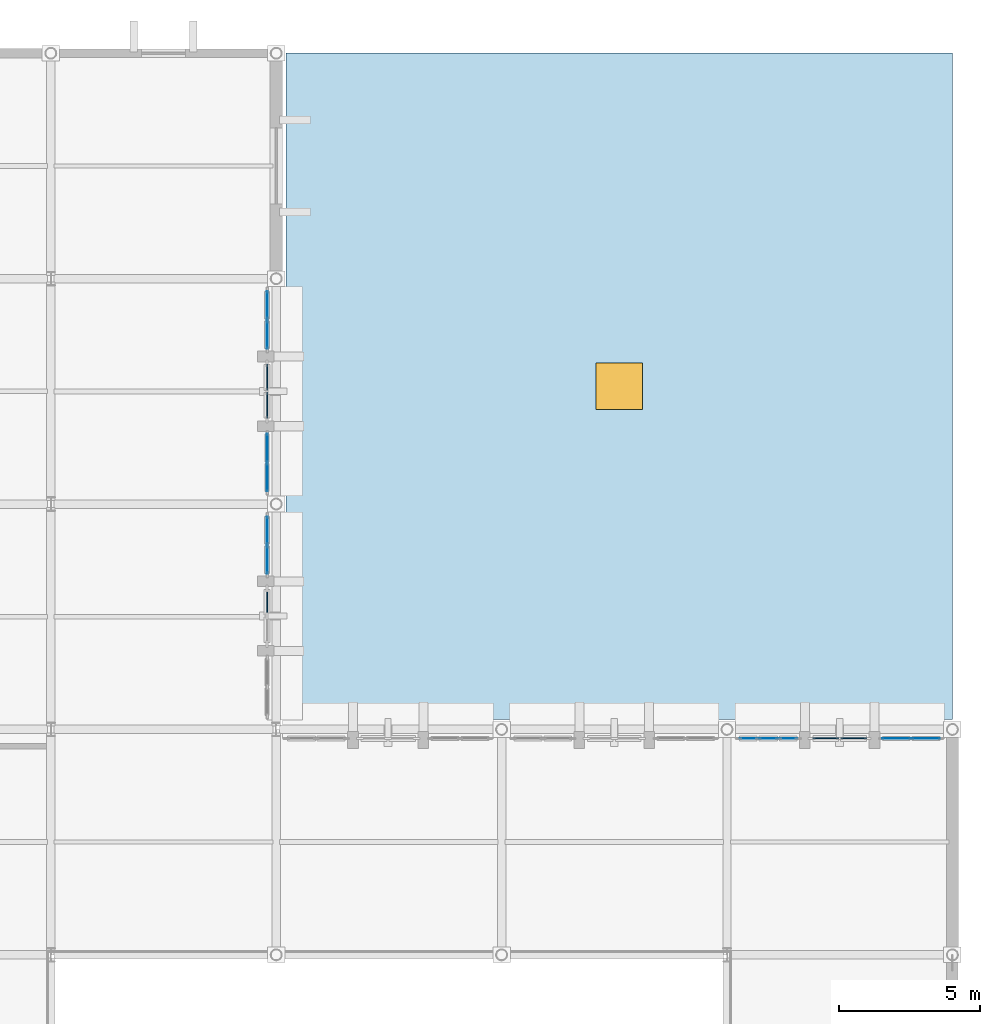
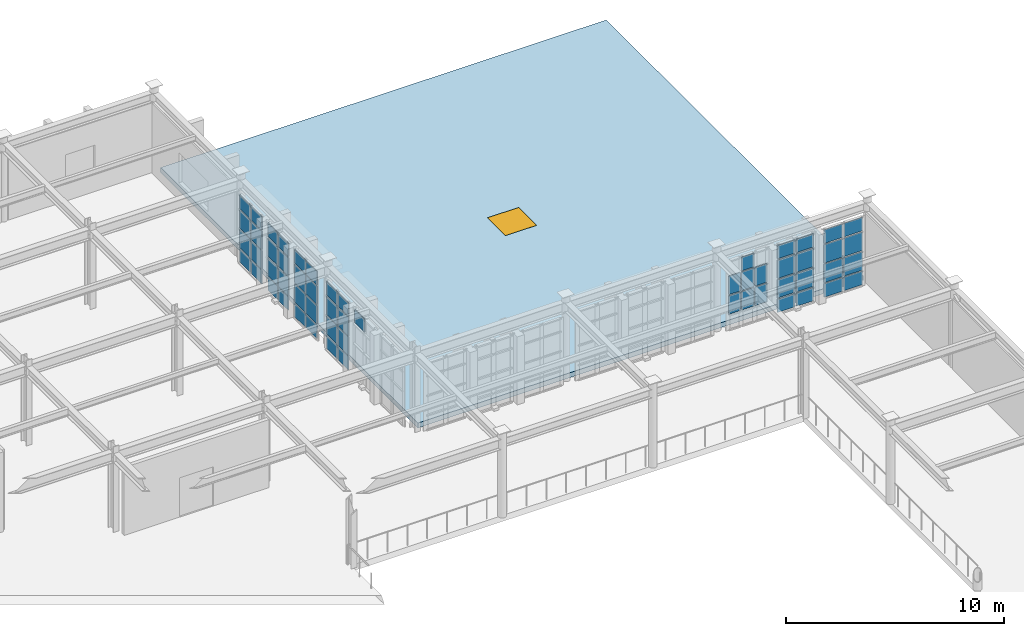
# One storey, part 117 of 155: 56 plates, 1 slab, 1 window, 1 opening, 8 elements without a shape of their own.
"""IFC4 building model written with IfcOpenShell, lengths in metres."""

from ifc_helpers import new_model, si_unit, direction, frame, origin, origin_2d, place, context, subcontext, project, spatial, polyline, rectangle, outline, extrude, material, layer, layer_set, type_object, element, fill, aggregate, save


model = new_model("IFC4")

# Units and contexts
model_context = context("Model", 3, precision=1e-05, world=origin(), true_north=direction((0.0, 1.0)))
body_context = subcontext(model_context, "Body", "Model", "MODEL_VIEW")
ifc_project = project(units=[si_unit("LENGTHUNIT", "METRE"), si_unit("AREAUNIT", "SQUARE_METRE"), si_unit("VOLUMEUNIT", "CUBIC_METRE"), si_unit("PLANEANGLEUNIT", "RADIAN"), si_unit("MASSUNIT", "GRAM", prefix="KILO")], contexts=[model_context])

# Site, building, storey
site_placement = place(None, origin())
site = spatial("IfcSite", under=ifc_project, at=site_placement, CompositionType="ELEMENT")
building_placement = place(site_placement, origin())
building = spatial("IfcBuilding", under=site, at=building_placement, Name="Tazarka Park Arena", CompositionType="ELEMENT")
storey_placement = place(building_placement, frame((0.0, 0.0, 5.39990234375)))
storey = spatial("IfcBuildingStorey", under=building, at=storey_placement, Name="L01", CompositionType="ELEMENT", Elevation=5.39990234375)

# Curtain wall, plates
ifc_material_1 = material(Name="Aluminium and low-e glass", Category="aluminium")
ifc_layer_1 = layer(ifc_material_1, 0.179931640625, Name="Aluminium and low-e glass")
ifc_layer_set_1 = layer_set([ifc_layer_1], Name="Aluminium and low-e glass")
curtain_wall_type_1 = type_object("IfcCurtainWallType", Name="CW-12", PredefinedType="NOTDEFINED", material=ifc_layer_set_1)
curtain_wall_1_placement = place(storey_placement, origin())
curtain_wall_1 = element("IfcCurtainWall", 1, at=curtain_wall_1_placement, inside=storey, type_object=curtain_wall_type_1, Name="Curtain Wall CWA-L01-192", PredefinedType="NOTDEFINED")
ifc_material_2 = material(Name="Double low-e insulated glazing", Category="glass")
ifc_layer_2 = layer(ifc_material_2, 0.028076171875, Name="Double low-e insulated glazing")
ifc_layer_set_2 = layer_set([ifc_layer_2], Name="Double low-e insulated glazing")
plate_type_1 = type_object("IfcPlateType", Name="CWP-01", PredefinedType="CURTAIN_PANEL", material=ifc_layer_set_2)
plate_1_placement = place(storey_placement, frame((182.007080078125, 103.679931640625, 0.065185546875), z_axis=(0.0, 0.0, 1.0), x_axis=(1.0, 0.0, 0.0)))
plate_1 = element("IfcPlate", 2, at=plate_1_placement, type_object=plate_type_1, Name="CW-12 panel 1.1", PredefinedType="CURTAIN_PANEL", context=body_context, shape_type="SweptSolid", body=[
    extrude(rectangle(XDim=0.986328125, YDim=0.028076171875, at=origin_2d()), origin(), (0.0, 0.0, 1.0), 0.75244140625),
])
plate_2_placement = place(storey_placement, frame((182.007080078125, 103.679931640625, 0.8828125), z_axis=(0.0, 0.0, 1.0), x_axis=(1.0, 0.0, 0.0)))
plate_2 = element("IfcPlate", 3, at=plate_2_placement, type_object=plate_type_1, Name="CW-12 panel 1.2", PredefinedType="CURTAIN_PANEL", context=body_context, shape_type="SweptSolid", body=[
    extrude(rectangle(XDim=0.986328125, YDim=0.028076171875, at=origin_2d()), origin(), (0.0, 0.0, 1.0), 1.034912109375),
])
plate_3_placement = place(storey_placement, frame((182.007080078125, 103.679931640625, 1.982421875), z_axis=(0.0, 0.0, 1.0), x_axis=(1.0, 0.0, 0.0)))
plate_3 = element("IfcPlate", 4, at=plate_3_placement, type_object=plate_type_1, Name="CW-12 panel 1.3", PredefinedType="CURTAIN_PANEL", context=body_context, shape_type="SweptSolid", body=[
    extrude(rectangle(XDim=0.986328125, YDim=0.028076171875, at=origin_2d()), origin(), (0.0, 0.0, 1.0), 1.034912109375),
])
plate_4_placement = place(storey_placement, frame((182.007080078125, 103.679931640625, 3.08251953125), z_axis=(0.0, 0.0, 1.0), x_axis=(1.0, 0.0, 0.0)))
plate_4 = element("IfcPlate", 5, at=plate_4_placement, type_object=plate_type_1, Name="CW-12 panel 1.4", PredefinedType="CURTAIN_PANEL", context=body_context, shape_type="SweptSolid", body=[
    extrude(rectangle(XDim=0.986328125, YDim=0.028076171875, at=origin_2d()), origin(), (0.0, 0.0, 1.0), 0.762451171875),
])
plate_5_placement = place(storey_placement, frame((183.05859375, 103.679931640625, 0.065185546875), z_axis=(0.0, 0.0, 1.0), x_axis=(1.0, 0.0, 0.0)))
plate_5 = element("IfcPlate", 6, at=plate_5_placement, type_object=plate_type_1, Name="CW-12 panel 2.1", PredefinedType="CURTAIN_PANEL", context=body_context, shape_type="SweptSolid", body=[
    extrude(rectangle(XDim=0.986328125, YDim=0.028076171875, at=origin_2d()), origin(), (0.0, 0.0, 1.0), 0.75244140625),
])
plate_6_placement = place(storey_placement, frame((183.05859375, 103.679931640625, 0.8828125), z_axis=(0.0, 0.0, 1.0), x_axis=(1.0, 0.0, 0.0)))
plate_6 = element("IfcPlate", 7, at=plate_6_placement, type_object=plate_type_1, Name="CW-12 panel 2.2", PredefinedType="CURTAIN_PANEL", context=body_context, shape_type="SweptSolid", body=[
    extrude(rectangle(XDim=0.986328125, YDim=0.028076171875, at=origin_2d()), origin(), (0.0, 0.0, 1.0), 1.034912109375),
])
plate_7_placement = place(storey_placement, frame((183.05859375, 103.679931640625, 1.982421875), z_axis=(0.0, 0.0, 1.0), x_axis=(1.0, 0.0, 0.0)))
plate_7 = element("IfcPlate", 8, at=plate_7_placement, type_object=plate_type_1, Name="CW-12 panel 2.3", PredefinedType="CURTAIN_PANEL", context=body_context, shape_type="SweptSolid", body=[
    extrude(rectangle(XDim=0.986328125, YDim=0.028076171875, at=origin_2d()), origin(), (0.0, 0.0, 1.0), 1.034912109375),
])
plate_8_placement = place(storey_placement, frame((183.05859375, 103.679931640625, 3.08251953125), z_axis=(0.0, 0.0, 1.0), x_axis=(1.0, 0.0, 0.0)))
plate_8 = element("IfcPlate", 9, at=plate_8_placement, type_object=plate_type_1, Name="CW-12 panel 2.4", PredefinedType="CURTAIN_PANEL", context=body_context, shape_type="SweptSolid", body=[
    extrude(rectangle(XDim=0.986328125, YDim=0.028076171875, at=origin_2d()), origin(), (0.0, 0.0, 1.0), 0.762451171875),
])
aggregate(curtain_wall_1, [plate_1, plate_2, plate_3, plate_4, plate_5, plate_6, plate_7, plate_8])

ifc_material_3 = material(Name="Aluminium and low-e glass", Category="aluminium")
ifc_layer_3 = layer(ifc_material_3, 0.179931640625, Name="Aluminium and low-e glass")
ifc_layer_set_3 = layer_set([ifc_layer_3], Name="Aluminium and low-e glass")
curtain_wall_type_2 = type_object("IfcCurtainWallType", Name="CW-24", PredefinedType="NOTDEFINED", material=ifc_layer_set_3)
curtain_wall_2_placement = place(storey_placement, origin())
curtain_wall_2 = element("IfcCurtainWall", 10, at=curtain_wall_2_placement, inside=storey, type_object=curtain_wall_type_2, Name="Curtain Wall CWA-L01-204", PredefinedType="NOTDEFINED")
plate_9_placement = place(storey_placement, frame((159.679931640625, 113.992919921875, 0.065185546875), z_axis=(0.0, 0.0, 1.0), x_axis=(0.0, -1.0, 0.0)))
plate_9 = element("IfcPlate", 11, at=plate_9_placement, type_object=plate_type_1, Name="CW-24 panel 1.1", PredefinedType="CURTAIN_PANEL", context=body_context, shape_type="SweptSolid", body=[
    extrude(rectangle(XDim=0.986328125, YDim=0.028076171875, at=origin_2d()), origin(), (0.0, 0.0, 1.0), 0.75244140625),
])
plate_10_placement = place(storey_placement, frame((159.679931640625, 113.992919921875, 0.8828125), z_axis=(0.0, 0.0, 1.0), x_axis=(0.0, -1.0, 0.0)))
plate_10 = element("IfcPlate", 12, at=plate_10_placement, type_object=plate_type_1, Name="CW-24 panel 1.2", PredefinedType="CURTAIN_PANEL", context=body_context, shape_type="SweptSolid", body=[
    extrude(rectangle(XDim=0.986328125, YDim=0.028076171875, at=origin_2d()), origin(), (0.0, 0.0, 1.0), 1.034912109375),
])
plate_11_placement = place(storey_placement, frame((159.679931640625, 113.992919921875, 1.982421875), z_axis=(0.0, 0.0, 1.0), x_axis=(0.0, -1.0, 0.0)))
plate_11 = element("IfcPlate", 13, at=plate_11_placement, type_object=plate_type_1, Name="CW-24 panel 1.3", PredefinedType="CURTAIN_PANEL", context=body_context, shape_type="SweptSolid", body=[
    extrude(rectangle(XDim=0.986328125, YDim=0.028076171875, at=origin_2d()), origin(), (0.0, 0.0, 1.0), 1.034912109375),
])
plate_12_placement = place(storey_placement, frame((159.679931640625, 113.992919921875, 3.08251953125), z_axis=(0.0, 0.0, 1.0), x_axis=(0.0, -1.0, 0.0)))
plate_12 = element("IfcPlate", 14, at=plate_12_placement, type_object=plate_type_1, Name="CW-24 panel 1.4", PredefinedType="CURTAIN_PANEL", context=body_context, shape_type="SweptSolid", body=[
    extrude(rectangle(XDim=0.986328125, YDim=0.028076171875, at=origin_2d()), origin(), (0.0, 0.0, 1.0), 0.762451171875),
])
plate_13_placement = place(storey_placement, frame((159.679931640625, 112.94140625, 0.065185546875), z_axis=(0.0, 0.0, 1.0), x_axis=(0.0, -1.0, 0.0)))
plate_13 = element("IfcPlate", 15, at=plate_13_placement, type_object=plate_type_1, Name="CW-24 panel 2.1", PredefinedType="CURTAIN_PANEL", context=body_context, shape_type="SweptSolid", body=[
    extrude(rectangle(XDim=0.986328125, YDim=0.028076171875, at=origin_2d()), origin(), (0.0, 0.0, 1.0), 0.75244140625),
])
plate_14_placement = place(storey_placement, frame((159.679931640625, 112.94140625, 0.8828125), z_axis=(0.0, 0.0, 1.0), x_axis=(0.0, -1.0, 0.0)))
plate_14 = element("IfcPlate", 16, at=plate_14_placement, type_object=plate_type_1, Name="CW-24 panel 2.2", PredefinedType="CURTAIN_PANEL", context=body_context, shape_type="SweptSolid", body=[
    extrude(rectangle(XDim=0.986328125, YDim=0.028076171875, at=origin_2d()), origin(), (0.0, 0.0, 1.0), 1.034912109375),
])
plate_15_placement = place(storey_placement, frame((159.679931640625, 112.94140625, 1.982421875), z_axis=(0.0, 0.0, 1.0), x_axis=(0.0, -1.0, 0.0)))
plate_15 = element("IfcPlate", 17, at=plate_15_placement, type_object=plate_type_1, Name="CW-24 panel 2.3", PredefinedType="CURTAIN_PANEL", context=body_context, shape_type="SweptSolid", body=[
    extrude(rectangle(XDim=0.986328125, YDim=0.028076171875, at=origin_2d()), origin(), (0.0, 0.0, 1.0), 1.034912109375),
])
plate_16_placement = place(storey_placement, frame((159.679931640625, 112.94140625, 3.08251953125), z_axis=(0.0, 0.0, 1.0), x_axis=(0.0, -1.0, 0.0)))
plate_16 = element("IfcPlate", 18, at=plate_16_placement, type_object=plate_type_1, Name="CW-24 panel 2.4", PredefinedType="CURTAIN_PANEL", context=body_context, shape_type="SweptSolid", body=[
    extrude(rectangle(XDim=0.986328125, YDim=0.028076171875, at=origin_2d()), origin(), (0.0, 0.0, 1.0), 0.762451171875),
])
aggregate(curtain_wall_2, [plate_9, plate_10, plate_11, plate_12, plate_13, plate_14, plate_15, plate_16])

ifc_material_4 = material(Name="Aluminium and low-e glass", Category="aluminium")
ifc_layer_4 = layer(ifc_material_4, 0.179931640625, Name="Aluminium and low-e glass")
ifc_layer_set_4 = layer_set([ifc_layer_4], Name="Aluminium and low-e glass")
curtain_wall_type_3 = type_object("IfcCurtainWallType", Name="CW-10", PredefinedType="NOTDEFINED", material=ifc_layer_set_4)
curtain_wall_3_placement = place(storey_placement, origin())
curtain_wall_3 = element("IfcCurtainWall", 19, at=curtain_wall_3_placement, inside=storey, type_object=curtain_wall_type_3, Name="Curtain Wall CWA-L01-190", PredefinedType="NOTDEFINED")
ifc_material_5 = material(Name="Triple acoustic solar glazing", Category="glass")
ifc_layer_5 = layer(ifc_material_5, 0.031982421875, Name="Triple acoustic solar glazing")
ifc_layer_set_5 = layer_set([ifc_layer_5], Name="Triple acoustic solar glazing")
plate_type_2 = type_object("IfcPlateType", Name="CWP-02", PredefinedType="CURTAIN_PANEL", material=ifc_layer_set_5)
plate_17_placement = place(storey_placement, frame((176.7607421875, 103.679931640625, 0.8828125), z_axis=(0.0, 0.0, 1.0), x_axis=(1.0, 0.0, 0.0)))
plate_17 = element("IfcPlate", 20, at=plate_17_placement, type_object=plate_type_2, Name="CW-10 panel 1.2", PredefinedType="CURTAIN_PANEL", context=body_context, shape_type="SweptSolid", body=[
    extrude(rectangle(XDim=0.625244140625, YDim=0.031982421875, at=origin_2d()), origin(), (0.0, 0.0, 1.0), 1.034912109375),
])
plate_18_placement = place(storey_placement, frame((176.7607421875, 103.679931640625, 1.982421875), z_axis=(0.0, 0.0, 1.0), x_axis=(1.0, 0.0, 0.0)))
plate_18 = element("IfcPlate", 21, at=plate_18_placement, type_object=plate_type_2, Name="CW-10 panel 1.3", PredefinedType="CURTAIN_PANEL", context=body_context, shape_type="SweptSolid", body=[
    extrude(rectangle(XDim=0.625244140625, YDim=0.031982421875, at=origin_2d()), origin(), (0.0, 0.0, 1.0), 1.034912109375),
])
plate_19_placement = place(storey_placement, frame((177.467041015625, 103.679931640625, 0.8828125), z_axis=(0.0, 0.0, 1.0), x_axis=(1.0, 0.0, 0.0)))
plate_19 = element("IfcPlate", 22, at=plate_19_placement, type_object=plate_type_2, Name="CW-10 panel 2.2", PredefinedType="CURTAIN_PANEL", context=body_context, shape_type="SweptSolid", body=[
    extrude(rectangle(XDim=0.65771484375, YDim=0.031982421875, at=origin_2d()), origin(), (0.0, 0.0, 1.0), 1.034912109375),
])
plate_20_placement = place(storey_placement, frame((177.467041015625, 103.679931640625, 1.982421875), z_axis=(0.0, 0.0, 1.0), x_axis=(1.0, 0.0, 0.0)))
plate_20 = element("IfcPlate", 23, at=plate_20_placement, type_object=plate_type_2, Name="CW-10 panel 2.3", PredefinedType="CURTAIN_PANEL", context=body_context, shape_type="SweptSolid", body=[
    extrude(rectangle(XDim=0.65771484375, YDim=0.031982421875, at=origin_2d()), origin(), (0.0, 0.0, 1.0), 1.034912109375),
])
plate_21_placement = place(storey_placement, frame((177.467041015625, 103.679931640625, 3.08251953125), z_axis=(0.0, 0.0, 1.0), x_axis=(1.0, 0.0, 0.0)))
plate_21 = element("IfcPlate", 24, at=plate_21_placement, type_object=plate_type_2, Name="CW-10 panel 2.4", PredefinedType="CURTAIN_PANEL", context=body_context, shape_type="SweptSolid", body=[
    extrude(rectangle(XDim=0.65771484375, YDim=0.031982421875, at=origin_2d()), origin(), (0.0, 0.0, 1.0), 0.762451171875),
])
plate_22_placement = place(storey_placement, frame((178.173583984375, 103.679931640625, 0.8828125), z_axis=(0.0, 0.0, 1.0), x_axis=(1.0, 0.0, 0.0)))
plate_22 = element("IfcPlate", 25, at=plate_22_placement, type_object=plate_type_2, Name="CW-10 panel 3.2", PredefinedType="CURTAIN_PANEL", context=body_context, shape_type="SweptSolid", body=[
    extrude(rectangle(XDim=0.625244140625, YDim=0.031982421875, at=origin_2d()), origin(), (0.0, 0.0, 1.0), 1.034912109375),
])
plate_23_placement = place(storey_placement, frame((178.173583984375, 103.679931640625, 1.982421875), z_axis=(0.0, 0.0, 1.0), x_axis=(1.0, 0.0, 0.0)))
plate_23 = element("IfcPlate", 26, at=plate_23_placement, type_object=plate_type_2, Name="CW-10 panel 3.3", PredefinedType="CURTAIN_PANEL", context=body_context, shape_type="SweptSolid", body=[
    extrude(rectangle(XDim=0.625244140625, YDim=0.031982421875, at=origin_2d()), origin(), (0.0, 0.0, 1.0), 1.034912109375),
])
aggregate(curtain_wall_3, [plate_17, plate_18, plate_19, plate_20, plate_21, plate_22, plate_23])

ifc_material_6 = material(Name="Aluminium and low-e glass", Category="aluminium")
ifc_layer_6 = layer(ifc_material_6, 0.179931640625, Name="Aluminium and low-e glass")
ifc_layer_set_6 = layer_set([ifc_layer_6], Name="Aluminium and low-e glass")
curtain_wall_type_4 = type_object("IfcCurtainWallType", Name="CW-19", PredefinedType="NOTDEFINED", material=ifc_layer_set_6)
curtain_wall_4_placement = place(storey_placement, origin())
curtain_wall_4 = element("IfcCurtainWall", 27, at=curtain_wall_4_placement, inside=storey, type_object=curtain_wall_type_4, Name="Curtain Wall CWA-L01-199", PredefinedType="NOTDEFINED")
plate_24_placement = place(storey_placement, frame((159.679931640625, 111.0625, 0.065185546875), z_axis=(0.0, 0.0, 1.0), x_axis=(0.0, -1.0, 0.0)))
plate_24 = element("IfcPlate", 28, at=plate_24_placement, type_object=plate_type_2, Name="CW-19 panel 1.1", PredefinedType="CURTAIN_PANEL", context=body_context, shape_type="SweptSolid", body=[
    extrude(rectangle(XDim=0.978759765625, YDim=0.031982421875, at=origin_2d()), origin(), (0.0, 0.0, 1.0), 0.75244140625),
])
plate_25_placement = place(storey_placement, frame((159.679931640625, 111.0625, 0.8828125), z_axis=(0.0, 0.0, 1.0), x_axis=(0.0, -1.0, 0.0)))
plate_25 = element("IfcPlate", 29, at=plate_25_placement, type_object=plate_type_2, Name="CW-19 panel 1.2", PredefinedType="CURTAIN_PANEL", context=body_context, shape_type="SweptSolid", body=[
    extrude(rectangle(XDim=0.978759765625, YDim=0.031982421875, at=origin_2d()), origin(), (0.0, 0.0, 1.0), 1.034912109375),
])
plate_26_placement = place(storey_placement, frame((159.679931640625, 111.0625, 1.982421875), z_axis=(0.0, 0.0, 1.0), x_axis=(0.0, -1.0, 0.0)))
plate_26 = element("IfcPlate", 30, at=plate_26_placement, type_object=plate_type_2, Name="CW-19 panel 1.3", PredefinedType="CURTAIN_PANEL", context=body_context, shape_type="SweptSolid", body=[
    extrude(rectangle(XDim=0.978759765625, YDim=0.031982421875, at=origin_2d()), origin(), (0.0, 0.0, 1.0), 1.034912109375),
])
plate_27_placement = place(storey_placement, frame((159.679931640625, 111.0625, 3.08251953125), z_axis=(0.0, 0.0, 1.0), x_axis=(0.0, -1.0, 0.0)))
plate_27 = element("IfcPlate", 31, at=plate_27_placement, type_object=plate_type_2, Name="CW-19 panel 1.4", PredefinedType="CURTAIN_PANEL", context=body_context, shape_type="SweptSolid", body=[
    extrude(rectangle(XDim=0.978759765625, YDim=0.031982421875, at=origin_2d()), origin(), (0.0, 0.0, 1.0), 0.75244140625),
])
plate_28_placement = place(storey_placement, frame((159.679931640625, 110.018798828125, 0.065185546875), z_axis=(0.0, 0.0, 1.0), x_axis=(0.0, -1.0, 0.0)))
plate_28 = element("IfcPlate", 32, at=plate_28_placement, type_object=plate_type_2, Name="CW-19 panel 2.1", PredefinedType="CURTAIN_PANEL", context=body_context, shape_type="SweptSolid", body=[
    extrude(rectangle(XDim=0.978759765625, YDim=0.031982421875, at=origin_2d()), origin(), (0.0, 0.0, 1.0), 0.75244140625),
])
plate_29_placement = place(storey_placement, frame((159.679931640625, 110.018798828125, 0.8828125), z_axis=(0.0, 0.0, 1.0), x_axis=(0.0, -1.0, 0.0)))
plate_29 = element("IfcPlate", 33, at=plate_29_placement, type_object=plate_type_2, Name="CW-19 panel 2.2", PredefinedType="CURTAIN_PANEL", context=body_context, shape_type="SweptSolid", body=[
    extrude(rectangle(XDim=0.978759765625, YDim=0.031982421875, at=origin_2d()), origin(), (0.0, 0.0, 1.0), 1.034912109375),
])
plate_30_placement = place(storey_placement, frame((159.679931640625, 110.018798828125, 1.982421875), z_axis=(0.0, 0.0, 1.0), x_axis=(0.0, -1.0, 0.0)))
plate_30 = element("IfcPlate", 34, at=plate_30_placement, type_object=plate_type_2, Name="CW-19 panel 2.3", PredefinedType="CURTAIN_PANEL", context=body_context, shape_type="SweptSolid", body=[
    extrude(rectangle(XDim=0.978759765625, YDim=0.031982421875, at=origin_2d()), origin(), (0.0, 0.0, 1.0), 1.034912109375),
])
plate_31_placement = place(storey_placement, frame((159.679931640625, 110.018798828125, 3.08251953125), z_axis=(0.0, 0.0, 1.0), x_axis=(0.0, -1.0, 0.0)))
plate_31 = element("IfcPlate", 35, at=plate_31_placement, type_object=plate_type_2, Name="CW-19 panel 2.4", PredefinedType="CURTAIN_PANEL", context=body_context, shape_type="SweptSolid", body=[
    extrude(rectangle(XDim=0.978759765625, YDim=0.031982421875, at=origin_2d()), origin(), (0.0, 0.0, 1.0), 0.75244140625),
])
aggregate(curtain_wall_4, [plate_24, plate_25, plate_26, plate_27, plate_28, plate_29, plate_30, plate_31])

ifc_material_7 = material(Name="Aluminium and low-e glass", Category="aluminium")
ifc_layer_7 = layer(ifc_material_7, 0.179931640625, Name="Aluminium and low-e glass")
ifc_layer_set_7 = layer_set([ifc_layer_7], Name="Aluminium and low-e glass")
curtain_wall_type_5 = type_object("IfcCurtainWallType", Name="CW-22", PredefinedType="NOTDEFINED", material=ifc_layer_set_7)
curtain_wall_5_placement = place(storey_placement, origin())
curtain_wall_5 = element("IfcCurtainWall", 36, at=curtain_wall_5_placement, inside=storey, type_object=curtain_wall_type_5, Name="Curtain Wall CWA-L01-202", PredefinedType="NOTDEFINED")
plate_32_placement = place(storey_placement, frame((159.679931640625, 119.05859375, 0.065185546875), z_axis=(0.0, 0.0, 1.0), x_axis=(0.0, -1.0, 0.0)))
plate_32 = element("IfcPlate", 37, at=plate_32_placement, type_object=plate_type_2, Name="CW-22 panel 1.1", PredefinedType="CURTAIN_PANEL", context=body_context, shape_type="SweptSolid", body=[
    extrude(rectangle(XDim=0.986328125, YDim=0.031982421875, at=origin_2d()), origin(), (0.0, 0.0, 1.0), 0.75244140625),
])
plate_33_placement = place(storey_placement, frame((159.679931640625, 119.05859375, 0.8828125), z_axis=(0.0, 0.0, 1.0), x_axis=(0.0, -1.0, 0.0)))
plate_33 = element("IfcPlate", 38, at=plate_33_placement, type_object=plate_type_2, Name="CW-22 panel 1.2", PredefinedType="CURTAIN_PANEL", context=body_context, shape_type="SweptSolid", body=[
    extrude(rectangle(XDim=0.986328125, YDim=0.031982421875, at=origin_2d()), origin(), (0.0, 0.0, 1.0), 1.034912109375),
])
plate_34_placement = place(storey_placement, frame((159.679931640625, 119.05859375, 1.982421875), z_axis=(0.0, 0.0, 1.0), x_axis=(0.0, -1.0, 0.0)))
plate_34 = element("IfcPlate", 39, at=plate_34_placement, type_object=plate_type_2, Name="CW-22 panel 1.3", PredefinedType="CURTAIN_PANEL", context=body_context, shape_type="SweptSolid", body=[
    extrude(rectangle(XDim=0.986328125, YDim=0.031982421875, at=origin_2d()), origin(), (0.0, 0.0, 1.0), 1.034912109375),
])
plate_35_placement = place(storey_placement, frame((159.679931640625, 119.05859375, 3.08251953125), z_axis=(0.0, 0.0, 1.0), x_axis=(0.0, -1.0, 0.0)))
plate_35 = element("IfcPlate", 40, at=plate_35_placement, type_object=plate_type_2, Name="CW-22 panel 1.4", PredefinedType="CURTAIN_PANEL", context=body_context, shape_type="SweptSolid", body=[
    extrude(rectangle(XDim=0.986328125, YDim=0.031982421875, at=origin_2d()), origin(), (0.0, 0.0, 1.0), 0.762451171875),
])
plate_36_placement = place(storey_placement, frame((159.679931640625, 118.007080078125, 0.065185546875), z_axis=(0.0, 0.0, 1.0), x_axis=(0.0, -1.0, 0.0)))
plate_36 = element("IfcPlate", 41, at=plate_36_placement, type_object=plate_type_2, Name="CW-22 panel 2.1", PredefinedType="CURTAIN_PANEL", context=body_context, shape_type="SweptSolid", body=[
    extrude(rectangle(XDim=0.986328125, YDim=0.031982421875, at=origin_2d()), origin(), (0.0, 0.0, 1.0), 0.75244140625),
])
plate_37_placement = place(storey_placement, frame((159.679931640625, 118.007080078125, 0.8828125), z_axis=(0.0, 0.0, 1.0), x_axis=(0.0, -1.0, 0.0)))
plate_37 = element("IfcPlate", 42, at=plate_37_placement, type_object=plate_type_2, Name="CW-22 panel 2.2", PredefinedType="CURTAIN_PANEL", context=body_context, shape_type="SweptSolid", body=[
    extrude(rectangle(XDim=0.986328125, YDim=0.031982421875, at=origin_2d()), origin(), (0.0, 0.0, 1.0), 1.034912109375),
])
plate_38_placement = place(storey_placement, frame((159.679931640625, 118.007080078125, 1.982421875), z_axis=(0.0, 0.0, 1.0), x_axis=(0.0, -1.0, 0.0)))
plate_38 = element("IfcPlate", 43, at=plate_38_placement, type_object=plate_type_2, Name="CW-22 panel 2.3", PredefinedType="CURTAIN_PANEL", context=body_context, shape_type="SweptSolid", body=[
    extrude(rectangle(XDim=0.986328125, YDim=0.031982421875, at=origin_2d()), origin(), (0.0, 0.0, 1.0), 1.034912109375),
])
plate_39_placement = place(storey_placement, frame((159.679931640625, 118.007080078125, 3.08251953125), z_axis=(0.0, 0.0, 1.0), x_axis=(0.0, -1.0, 0.0)))
plate_39 = element("IfcPlate", 44, at=plate_39_placement, type_object=plate_type_2, Name="CW-22 panel 2.4", PredefinedType="CURTAIN_PANEL", context=body_context, shape_type="SweptSolid", body=[
    extrude(rectangle(XDim=0.986328125, YDim=0.031982421875, at=origin_2d()), origin(), (0.0, 0.0, 1.0), 0.762451171875),
])
aggregate(curtain_wall_5, [plate_32, plate_33, plate_34, plate_35, plate_36, plate_37, plate_38, plate_39])

ifc_material_8 = material(Name="Aluminium and low-e glass", Category="aluminium")
ifc_layer_8 = layer(ifc_material_8, 0.179931640625, Name="Aluminium and low-e glass")
ifc_layer_set_8 = layer_set([ifc_layer_8], Name="Aluminium and low-e glass")
curtain_wall_type_6 = type_object("IfcCurtainWallType", Name="CW-11", PredefinedType="NOTDEFINED", material=ifc_layer_set_8)
curtain_wall_6_placement = place(storey_placement, origin())
curtain_wall_6 = element("IfcCurtainWall", 45, at=curtain_wall_6_placement, inside=storey, type_object=curtain_wall_type_6, Name="Curtain Wall CWA-L01-191", PredefinedType="NOTDEFINED")
ifc_material_9 = material(Name="Insulated aluminium spandrel panel", Category="aluminium")
ifc_layer_9 = layer(ifc_material_9, 0.035888671875, Name="Insulated aluminium spandrel panel")
ifc_layer_set_9 = layer_set([ifc_layer_9], Name="Insulated aluminium spandrel panel")
plate_type_3 = type_object("IfcPlateType", Name="CWP-03", PredefinedType="CURTAIN_PANEL", material=ifc_layer_set_9)
plate_40_placement = place(storey_placement, frame((179.50439453125, 103.679931640625, 0.0751953125), z_axis=(0.0, 0.0, 1.0), x_axis=(1.0, 0.0, 0.0)))
plate_40 = element("IfcPlate", 46, at=plate_40_placement, type_object=plate_type_3, Name="CW-11 panel 1.1", PredefinedType="CURTAIN_PANEL", context=body_context, shape_type="SweptSolid", body=[
    extrude(rectangle(XDim=0.91650390625, YDim=0.035888671875, at=origin_2d()), origin(), (0.0, 0.0, 1.0), 0.737548828125),
])
plate_41_placement = place(storey_placement, frame((179.50439453125, 103.679931640625, 0.8876953125), z_axis=(0.0, 0.0, 1.0), x_axis=(1.0, 0.0, 0.0)))
plate_41 = element("IfcPlate", 47, at=plate_41_placement, type_object=plate_type_3, Name="CW-11 panel 1.2", PredefinedType="CURTAIN_PANEL", context=body_context, shape_type="SweptSolid", body=[
    extrude(rectangle(XDim=0.91650390625, YDim=0.035888671875, at=origin_2d()), origin(), (0.0, 0.0, 1.0), 1.02490234375),
])
plate_42_placement = place(storey_placement, frame((179.50439453125, 103.679931640625, 1.987548828125), z_axis=(0.0, 0.0, 1.0), x_axis=(1.0, 0.0, 0.0)))
plate_42 = element("IfcPlate", 48, at=plate_42_placement, type_object=plate_type_3, Name="CW-11 panel 1.3", PredefinedType="CURTAIN_PANEL", context=body_context, shape_type="SweptSolid", body=[
    extrude(rectangle(XDim=0.91650390625, YDim=0.035888671875, at=origin_2d()), origin(), (0.0, 0.0, 1.0), 1.02490234375),
])
plate_43_placement = place(storey_placement, frame((179.50439453125, 103.679931640625, 3.087646484375), z_axis=(0.0, 0.0, 1.0), x_axis=(1.0, 0.0, 0.0)))
plate_43 = element("IfcPlate", 49, at=plate_43_placement, type_object=plate_type_3, Name="CW-11 panel 1.4", PredefinedType="CURTAIN_PANEL", context=body_context, shape_type="SweptSolid", body=[
    extrude(rectangle(XDim=0.91650390625, YDim=0.035888671875, at=origin_2d()), origin(), (0.0, 0.0, 1.0), 0.74755859375),
])
plate_44_placement = place(storey_placement, frame((180.49560546875, 103.679931640625, 0.0751953125), z_axis=(0.0, 0.0, 1.0), x_axis=(1.0, 0.0, 0.0)))
plate_44 = element("IfcPlate", 50, at=plate_44_placement, type_object=plate_type_3, Name="CW-11 panel 2.1", PredefinedType="CURTAIN_PANEL", context=body_context, shape_type="SweptSolid", body=[
    extrude(rectangle(XDim=0.91650390625, YDim=0.035888671875, at=origin_2d()), origin(), (0.0, 0.0, 1.0), 0.737548828125),
])
plate_45_placement = place(storey_placement, frame((180.49560546875, 103.679931640625, 0.8876953125), z_axis=(0.0, 0.0, 1.0), x_axis=(1.0, 0.0, 0.0)))
plate_45 = element("IfcPlate", 51, at=plate_45_placement, type_object=plate_type_3, Name="CW-11 panel 2.2", PredefinedType="CURTAIN_PANEL", context=body_context, shape_type="SweptSolid", body=[
    extrude(rectangle(XDim=0.91650390625, YDim=0.035888671875, at=origin_2d()), origin(), (0.0, 0.0, 1.0), 1.02490234375),
])
plate_46_placement = place(storey_placement, frame((180.49560546875, 103.679931640625, 1.987548828125), z_axis=(0.0, 0.0, 1.0), x_axis=(1.0, 0.0, 0.0)))
plate_46 = element("IfcPlate", 52, at=plate_46_placement, type_object=plate_type_3, Name="CW-11 panel 2.3", PredefinedType="CURTAIN_PANEL", context=body_context, shape_type="SweptSolid", body=[
    extrude(rectangle(XDim=0.91650390625, YDim=0.035888671875, at=origin_2d()), origin(), (0.0, 0.0, 1.0), 1.02490234375),
])
plate_47_placement = place(storey_placement, frame((180.49560546875, 103.679931640625, 3.087646484375), z_axis=(0.0, 0.0, 1.0), x_axis=(1.0, 0.0, 0.0)))
plate_47 = element("IfcPlate", 53, at=plate_47_placement, type_object=plate_type_3, Name="CW-11 panel 2.4", PredefinedType="CURTAIN_PANEL", context=body_context, shape_type="SweptSolid", body=[
    extrude(rectangle(XDim=0.91650390625, YDim=0.035888671875, at=origin_2d()), origin(), (0.0, 0.0, 1.0), 0.74755859375),
])
aggregate(curtain_wall_6, [plate_40, plate_41, plate_42, plate_43, plate_44, plate_45, plate_46, plate_47])

# Curtain wall, plate
ifc_material_10 = material(Name="Aluminium and low-e glass", Category="aluminium")
ifc_layer_10 = layer(ifc_material_10, 0.179931640625, Name="Aluminium and low-e glass")
ifc_layer_set_10 = layer_set([ifc_layer_10], Name="Aluminium and low-e glass")
curtain_wall_type_7 = type_object("IfcCurtainWallType", Name="CW-20", PredefinedType="NOTDEFINED", material=ifc_layer_set_10)
curtain_wall_7_placement = place(storey_placement, origin())
curtain_wall_7 = element("IfcCurtainWall", 54, at=curtain_wall_7_placement, inside=storey, type_object=curtain_wall_type_7, Name="Curtain Wall CWA-L01-200", PredefinedType="NOTDEFINED")
plate_48_placement = place(storey_placement, frame((159.679931640625, 108.51513671875, 3.08740234375), z_axis=(0.0, 0.0, 1.0), x_axis=(0.0, -1.0, 0.0)))
plate_48 = element("IfcPlate", 55, at=plate_48_placement, type_object=plate_type_3, Name="CW-20 panel 1.4", PredefinedType="CURTAIN_PANEL", context=body_context, shape_type="SweptSolid", body=[
    extrude(rectangle(XDim=0.90869140625, YDim=0.035888671875, at=origin_2d()), origin(), (0.0, 0.0, 1.0), 0.737548828125),
])
aggregate(curtain_wall_7, [plate_48])

# Curtain wall, plates
ifc_material_11 = material(Name="Aluminium and low-e glass", Category="aluminium")
ifc_layer_11 = layer(ifc_material_11, 0.179931640625, Name="Aluminium and low-e glass")
ifc_layer_set_11 = layer_set([ifc_layer_11], Name="Aluminium and low-e glass")
curtain_wall_type_8 = type_object("IfcCurtainWallType", Name="CW-23", PredefinedType="NOTDEFINED", material=ifc_layer_set_11)
curtain_wall_8_placement = place(storey_placement, origin())
curtain_wall_8 = element("IfcCurtainWall", 56, at=curtain_wall_8_placement, inside=storey, type_object=curtain_wall_type_8, Name="Curtain Wall CWA-L01-203", PredefinedType="NOTDEFINED")
plate_49_placement = place(storey_placement, frame((159.679931640625, 116.49560546875, 0.0751953125), z_axis=(0.0, 0.0, 1.0), x_axis=(0.0, -1.0, 0.0)))
plate_49 = element("IfcPlate", 57, at=plate_49_placement, type_object=plate_type_3, Name="CW-23 panel 1.1", PredefinedType="CURTAIN_PANEL", context=body_context, shape_type="SweptSolid", body=[
    extrude(rectangle(XDim=0.91650390625, YDim=0.035888671875, at=origin_2d()), origin(), (0.0, 0.0, 1.0), 0.737548828125),
])
plate_50_placement = place(storey_placement, frame((159.679931640625, 116.49560546875, 0.8876953125), z_axis=(0.0, 0.0, 1.0), x_axis=(0.0, -1.0, 0.0)))
plate_50 = element("IfcPlate", 58, at=plate_50_placement, type_object=plate_type_3, Name="CW-23 panel 1.2", PredefinedType="CURTAIN_PANEL", context=body_context, shape_type="SweptSolid", body=[
    extrude(rectangle(XDim=0.91650390625, YDim=0.035888671875, at=origin_2d()), origin(), (0.0, 0.0, 1.0), 1.02490234375),
])
plate_51_placement = place(storey_placement, frame((159.679931640625, 116.49560546875, 1.987548828125), z_axis=(0.0, 0.0, 1.0), x_axis=(0.0, -1.0, 0.0)))
plate_51 = element("IfcPlate", 59, at=plate_51_placement, type_object=plate_type_3, Name="CW-23 panel 1.3", PredefinedType="CURTAIN_PANEL", context=body_context, shape_type="SweptSolid", body=[
    extrude(rectangle(XDim=0.91650390625, YDim=0.035888671875, at=origin_2d()), origin(), (0.0, 0.0, 1.0), 1.02490234375),
])
plate_52_placement = place(storey_placement, frame((159.679931640625, 116.49560546875, 3.087646484375), z_axis=(0.0, 0.0, 1.0), x_axis=(0.0, -1.0, 0.0)))
plate_52 = element("IfcPlate", 60, at=plate_52_placement, type_object=plate_type_3, Name="CW-23 panel 1.4", PredefinedType="CURTAIN_PANEL", context=body_context, shape_type="SweptSolid", body=[
    extrude(rectangle(XDim=0.91650390625, YDim=0.035888671875, at=origin_2d()), origin(), (0.0, 0.0, 1.0), 0.74755859375),
])
plate_53_placement = place(storey_placement, frame((159.679931640625, 115.50439453125, 0.0751953125), z_axis=(0.0, 0.0, 1.0), x_axis=(0.0, -1.0, 0.0)))
plate_53 = element("IfcPlate", 61, at=plate_53_placement, type_object=plate_type_3, Name="CW-23 panel 2.1", PredefinedType="CURTAIN_PANEL", context=body_context, shape_type="SweptSolid", body=[
    extrude(rectangle(XDim=0.91650390625, YDim=0.035888671875, at=origin_2d()), origin(), (0.0, 0.0, 1.0), 0.737548828125),
])
plate_54_placement = place(storey_placement, frame((159.679931640625, 115.50439453125, 0.8876953125), z_axis=(0.0, 0.0, 1.0), x_axis=(0.0, -1.0, 0.0)))
plate_54 = element("IfcPlate", 62, at=plate_54_placement, type_object=plate_type_3, Name="CW-23 panel 2.2", PredefinedType="CURTAIN_PANEL", context=body_context, shape_type="SweptSolid", body=[
    extrude(rectangle(XDim=0.91650390625, YDim=0.035888671875, at=origin_2d()), origin(), (0.0, 0.0, 1.0), 1.02490234375),
])
plate_55_placement = place(storey_placement, frame((159.679931640625, 115.50439453125, 1.987548828125), z_axis=(0.0, 0.0, 1.0), x_axis=(0.0, -1.0, 0.0)))
plate_55 = element("IfcPlate", 63, at=plate_55_placement, type_object=plate_type_3, Name="CW-23 panel 2.3", PredefinedType="CURTAIN_PANEL", context=body_context, shape_type="SweptSolid", body=[
    extrude(rectangle(XDim=0.91650390625, YDim=0.035888671875, at=origin_2d()), origin(), (0.0, 0.0, 1.0), 1.02490234375),
])
plate_56_placement = place(storey_placement, frame((159.679931640625, 115.50439453125, 3.087646484375), z_axis=(0.0, 0.0, 1.0), x_axis=(0.0, -1.0, 0.0)))
plate_56 = element("IfcPlate", 64, at=plate_56_placement, type_object=plate_type_3, Name="CW-23 panel 2.4", PredefinedType="CURTAIN_PANEL", context=body_context, shape_type="SweptSolid", body=[
    extrude(rectangle(XDim=0.91650390625, YDim=0.035888671875, at=origin_2d()), origin(), (0.0, 0.0, 1.0), 0.74755859375),
])
aggregate(curtain_wall_8, [plate_49, plate_50, plate_51, plate_52, plate_53, plate_54, plate_55, plate_56])

# Slab, opening, window
ifc_material_12 = material(Name="Concrete C35/45", Category="concrete")
ifc_layer_12 = layer(ifc_material_12, 0.27001953125, Name="Concrete C35/45")
ifc_layer_set_12 = layer_set([ifc_layer_12], Name="Concrete C35/45")
slab_type = type_object("IfcSlabType", Name="SLB-RS-04", PredefinedType="ROOF", material=ifc_layer_set_12)
slab_placement = place(storey_placement, frame((0.0, 0.0, -0.27001953125)))
slab = element("IfcSlab", 65, at=slab_placement, inside=storey, type_object=slab_type, Name="WROOF-L01-09", PredefinedType="ROOF", context=body_context, shape_type="SweptSolid", body=[
    extrude(outline(polyline([(184.0, 128.0), (184.0, 104.35009765625), (160.35009765625, 104.35009765625), (160.35009765625, 128.0), (184.0, 128.0)])), origin(), (0.0, 0.0, 1.0), 0.27001953125),
])
opening_placement = place(slab_placement, frame((172.175048828125, 116.175048828125, 0.0)))
opening = element("IfcOpeningElement", 66, at=opening_placement, cuts=slab, Name="Opening SK-03", PredefinedType="OPENING", context=body_context, shape_type="SweptSolid", body=[
    extrude(rectangle(XDim=1.64990234375, YDim=1.64990234375, at=origin_2d()), origin(), (0.0, 0.0, 1.0), 0.27001953125),
])
ifc_material_13 = material(Name="Thermally broken aluminium and solar-control low-e glazing", Category="aluminium")
window_type = type_object("IfcWindowType", Name="WIN-SK-03", PartitioningType="DOUBLE_PANEL_VERTICAL", PredefinedType="SKYLIGHT", material=ifc_material_13)
window_placement = place(opening_placement, frame((0.0, 0.0, 0.219970703125)))
window = element("IfcWindow", 67, at=window_placement, inside=storey, type_object=window_type, Name="Smoke Vent Skylight 07", OverallHeight=1.64990234375, OverallWidth=1.64990234375, PartitioningType="SINGLE_PANEL", PredefinedType="SKYLIGHT", context=body_context, shape_type="SweptSolid", body=[
    extrude(rectangle(XDim=1.64990234375, YDim=1.64990234375, at=origin_2d()), origin(), (0.0, 0.0, 1.0), 0.050048828125),
])
fill(opening, window)

save(model, "model.ifc")
